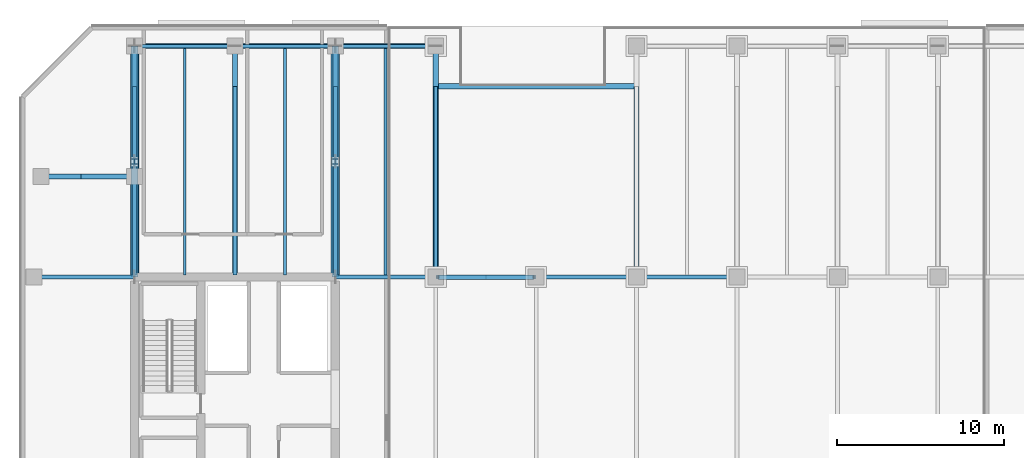
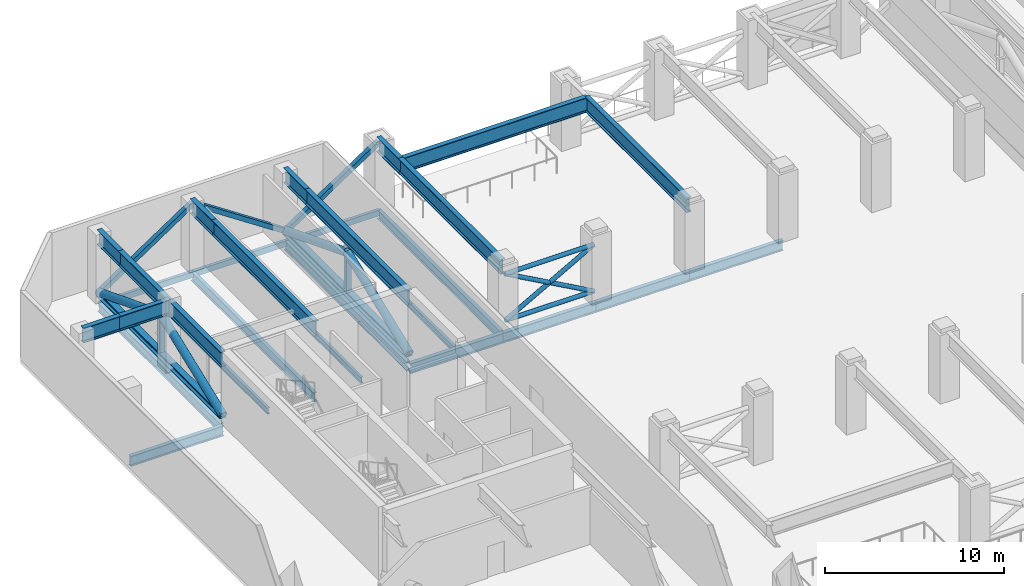
# One storey, part 5 of 21: 27 beams, 15 members.
"""IFC4 building model written with IfcOpenShell, lengths in metres."""

from ifc_helpers import new_model, si_unit, direction, frame, origin, origin_2d, place, context, subcontext, project, spatial, hollow_rectangle, hollow_circle, i_section, extrude, material, material_profile, profile_set, type_object, element, save


model = new_model("IFC4")

# Units and contexts
model_context = context("Model", 3, precision=1e-05, world=origin(), true_north=direction((0.0, 1.0)))
body_context = subcontext(model_context, "Body", "Model", "MODEL_VIEW")
ifc_project = project(units=[si_unit("LENGTHUNIT", "METRE"), si_unit("AREAUNIT", "SQUARE_METRE"), si_unit("VOLUMEUNIT", "CUBIC_METRE"), si_unit("PLANEANGLEUNIT", "RADIAN"), si_unit("MASSUNIT", "GRAM", prefix="KILO")], contexts=[model_context])

# Site, building, storey
site_placement = place(None, origin())
site = spatial("IfcSite", under=ifc_project, at=site_placement, CompositionType="ELEMENT")
building_placement = place(site_placement, origin())
building = spatial("IfcBuilding", under=site, at=building_placement, Name="Tanjung Sevakor Pilgrim Tower", CompositionType="ELEMENT")
storey_placement = place(building_placement, frame((0.0, 0.0, 123.090087890625)))
storey = spatial("IfcBuildingStorey", under=building, at=storey_placement, Name="L34", CompositionType="ELEMENT", Elevation=123.090087890625)

# Beams
ifc_material_1 = material(Name="Steel S355J2", Category="steel")
ifc_material_profile_1 = material_profile(ifc_material_1, i_section(OverallWidth=0.25439453125, OverallDepth=0.6875, WebThickness=0.01318359375, FlangeThickness=0.02099609375, FilletRadius=0.01513671875, at=origin_2d()))
ifc_profile_set_1 = profile_set([ifc_material_profile_1], Name="Steel S355J2")
beam_type_1 = type_object("IfcBeamType", Name="BM-B-G2-UB_686x254x152", PredefinedType="BEAM", material=ifc_profile_set_1)
for number, where, z_axis, x_axis, name in (
    (1, (18.0, 42.60009765625, -0.623779296875), (1.0, 0.0, 0.0), (0.0, 1.0, 0.0), "L34 Primary Floor Girder MAIN Y426-01"),
    (2, (36.0, 42.60009765625, -0.623779296875), (1.0, 0.0, 0.0), (0.0, 1.0, 0.0), "L34 Primary Floor Girder MAIN Y426-02"),
    (3, (42.0, 42.60009765625, -0.623779296875), (1.0, 0.0, 0.0), (0.0, 1.0, 0.0), "L34 Primary Floor Girder MAIN Y426-03"),
    (4, (48.0, 42.60009765625, -0.623779296875), (1.0, 0.0, 0.0), (0.0, 1.0, 0.0), "L34 Primary Floor Girder MAIN Y426-04"),
    (5, (54.0, 42.60009765625, -0.623779296875), (1.0, 0.0, 0.0), (0.0, 1.0, 0.0), "L34 Primary Floor Girder MAIN Y426-05"),
):
    element("IfcBeam", number, at=place(storey_placement, frame(where, z_axis=z_axis, x_axis=x_axis)), inside=storey, type_object=beam_type_1, Name=name, PredefinedType="BEAM", context=body_context, shape_type="SweptSolid", body=[
        extrude(i_section(OverallWidth=0.25439453125, OverallDepth=0.6875, WebThickness=0.01318359375, FlangeThickness=0.02099609375, FilletRadius=0.01513671875, at=origin_2d()), origin(), (0.0, 0.0, 1.0), 6.0),
    ])
ifc_material_2 = material(Name="Steel S355J2", Category="steel")
ifc_material_profile_2 = material_profile(ifc_material_2, i_section(OverallWidth=0.230224609375, OverallDepth=0.6171875, WebThickness=0.01318359375, FlangeThickness=0.022216796875, FilletRadius=0.0126953125, at=origin_2d()))
ifc_profile_set_2 = profile_set([ifc_material_profile_2], Name="Steel S355J2")
beam_type_2 = type_object("IfcBeamType", Name="BM-B-G3-UB_610x229x140", PredefinedType="BEAM", material=ifc_profile_set_2)
for number, where, z_axis, x_axis, name in (
    (6, (24.0, 42.727294921875, -0.588623046875), (0.0, 1.0, 0.0), (-1.0, 0.0, 0.0), "L34 MAIN Girder 002"),
    (7, (30.0, 42.727294921875, -0.588623046875), (0.0, 1.0, 0.0), (-1.0, 0.0, 0.0), "L34 MAIN Girder 006"),
    (8, (36.0, 42.727294921875, -0.588623046875), (0.0, 1.0, 0.0), (-1.0, 0.0, 0.0), "L34 MAIN Girder 010"),
):
    element("IfcBeam", number, at=place(storey_placement, frame(where, z_axis=z_axis, x_axis=x_axis)), inside=storey, type_object=beam_type_2, Name=name, PredefinedType="BEAM", context=body_context, shape_type="SweptSolid", body=[
        extrude(i_section(OverallWidth=0.230224609375, OverallDepth=0.6171875, WebThickness=0.01318359375, FlangeThickness=0.022216796875, FilletRadius=0.0126953125, at=origin_2d()), origin(), (0.0, 0.0, 1.0), 13.672607421875),
    ])
beam_1_placement = place(storey_placement, frame((42.0, 42.60009765625, -0.588623046875), z_axis=(0.0, 1.0, 0.0), x_axis=(-1.0, 0.0, 0.0)))
element("IfcBeam", 9, at=beam_1_placement, inside=storey, type_object=beam_type_2, Name="L34 MAIN Girder 015", PredefinedType="BEAM", context=body_context, shape_type="SweptSolid", body=[
    extrude(i_section(OverallWidth=0.230224609375, OverallDepth=0.6171875, WebThickness=0.01318359375, FlangeThickness=0.022216796875, FilletRadius=0.0126953125, at=origin_2d()), origin(), (0.0, 0.0, 1.0), 13.7998046875),
])
ifc_material_3 = material(Name="Steel S460M", Category="steel")
ifc_material_profile_3 = material_profile(ifc_material_3, i_section(OverallWidth=0.302001953125, OverallDepth=1.008056640625, WebThickness=0.02099609375, FlangeThickness=0.0400390625, FilletRadius=0.030029296875, at=origin_2d()))
ifc_profile_set_3 = profile_set([ifc_material_profile_3], Name="Steel S460M")
beam_type_3 = type_object("IfcBeamType", Name="BM-B-G7-HE_1000M", PredefinedType="BEAM", material=ifc_profile_set_3)
beam_2_placement = place(storey_placement, frame((18.39990234375, 48.60009765625, 4.166015625), z_axis=(1.0, 0.0, 0.0), x_axis=(0.0, 1.0, 0.0)))
element("IfcBeam", 10, at=beam_2_placement, inside=storey, type_object=beam_type_3, Name="L34 Short-End Setback Transfer Girder W Y48.6-1", PredefinedType="BEAM", context=body_context, shape_type="SweptSolid", body=[
    extrude(i_section(OverallWidth=0.302001953125, OverallDepth=1.008056640625, WebThickness=0.02099609375, FlangeThickness=0.0400390625, FilletRadius=0.030029296875, at=origin_2d()), origin(), (0.0, 0.0, 1.0), 2.400146484375),
])
beam_3_placement = place(storey_placement, frame((20.800048828125, 48.60009765625, 4.166015625), z_axis=(1.0, 0.0, 0.0), x_axis=(0.0, 1.0, 0.0)))
element("IfcBeam", 11, at=beam_3_placement, inside=storey, type_object=beam_type_3, Name="L34 Short-End Setback Transfer Girder W Y48.6-2", PredefinedType="BEAM", context=body_context, shape_type="SweptSolid", body=[
    extrude(i_section(OverallWidth=0.302001953125, OverallDepth=1.008056640625, WebThickness=0.02099609375, FlangeThickness=0.0400390625, FilletRadius=0.030029296875, at=origin_2d()), origin(), (0.0, 0.0, 1.0), 3.199951171875),
])
beam_4_placement = place(storey_placement, frame((42.0, 54.0, 4.166015625), z_axis=(1.0, 0.0, 0.0), x_axis=(0.0, 1.0, 0.0)))
element("IfcBeam", 12, at=beam_4_placement, inside=storey, type_object=beam_type_3, Name="L34 Setback Ring Transfer Girder N-01", PredefinedType="BEAM", context=body_context, shape_type="SweptSolid", body=[
    extrude(i_section(OverallWidth=0.302001953125, OverallDepth=1.008056640625, WebThickness=0.02099609375, FlangeThickness=0.0400390625, FilletRadius=0.030029296875, at=origin_2d()), origin(), (0.0, 0.0, 1.0), 12.0),
])
beam_5_placement = place(storey_placement, frame((24.0, 42.60009765625, 4.166015625), z_axis=(0.0, 1.0, 0.0), x_axis=(-1.0, 0.0, 0.0)))
element("IfcBeam", 13, at=beam_5_placement, inside=storey, type_object=beam_type_3, Name="L34 Setback Transfer Girder North X24-1", PredefinedType="BEAM", context=body_context, shape_type="SweptSolid", body=[
    extrude(i_section(OverallWidth=0.302001953125, OverallDepth=1.008056640625, WebThickness=0.02099609375, FlangeThickness=0.0400390625, FilletRadius=0.030029296875, at=origin_2d()), origin(), (0.0, 0.0, 1.0), 11.39990234375),
])
beam_6_placement = place(storey_placement, frame((24.0, 54.0, 4.166015625), z_axis=(0.0, 1.0, 0.0), x_axis=(-1.0, 0.0, 0.0)))
element("IfcBeam", 14, at=beam_6_placement, inside=storey, type_object=beam_type_3, Name="L34 Setback Transfer Girder North X24-2", PredefinedType="BEAM", context=body_context, shape_type="SweptSolid", body=[
    extrude(i_section(OverallWidth=0.302001953125, OverallDepth=1.008056640625, WebThickness=0.02099609375, FlangeThickness=0.0400390625, FilletRadius=0.030029296875, at=origin_2d()), origin(), (0.0, 0.0, 1.0), 2.39990234375),
])
beam_7_placement = place(storey_placement, frame((30.0, 42.60009765625, 4.166015625), z_axis=(0.0, 1.0, 0.0), x_axis=(-1.0, 0.0, 0.0)))
element("IfcBeam", 15, at=beam_7_placement, inside=storey, type_object=beam_type_3, Name="L34 Setback Transfer Girder North X30-1", PredefinedType="BEAM", context=body_context, shape_type="SweptSolid", body=[
    extrude(i_section(OverallWidth=0.302001953125, OverallDepth=1.008056640625, WebThickness=0.02099609375, FlangeThickness=0.0400390625, FilletRadius=0.030029296875, at=origin_2d()), origin(), (0.0, 0.0, 1.0), 11.39990234375),
])
beam_8_placement = place(storey_placement, frame((30.0, 54.0, 4.166015625), z_axis=(0.0, 1.0, 0.0), x_axis=(-1.0, 0.0, 0.0)))
element("IfcBeam", 16, at=beam_8_placement, inside=storey, type_object=beam_type_3, Name="L34 Setback Transfer Girder North X30-2", PredefinedType="BEAM", context=body_context, shape_type="SweptSolid", body=[
    extrude(i_section(OverallWidth=0.302001953125, OverallDepth=1.008056640625, WebThickness=0.02099609375, FlangeThickness=0.0400390625, FilletRadius=0.030029296875, at=origin_2d()), origin(), (0.0, 0.0, 1.0), 2.39990234375),
])
beam_9_placement = place(storey_placement, frame((36.0, 42.60009765625, 4.166015625), z_axis=(0.0, 1.0, 0.0), x_axis=(-1.0, 0.0, 0.0)))
element("IfcBeam", 17, at=beam_9_placement, inside=storey, type_object=beam_type_3, Name="L34 Setback Transfer Girder North X36-1", PredefinedType="BEAM", context=body_context, shape_type="SweptSolid", body=[
    extrude(i_section(OverallWidth=0.302001953125, OverallDepth=1.008056640625, WebThickness=0.02099609375, FlangeThickness=0.0400390625, FilletRadius=0.030029296875, at=origin_2d()), origin(), (0.0, 0.0, 1.0), 11.39990234375),
])
beam_10_placement = place(storey_placement, frame((36.0, 54.0, 4.166015625), z_axis=(0.0, 1.0, 0.0), x_axis=(-1.0, 0.0, 0.0)))
element("IfcBeam", 18, at=beam_10_placement, inside=storey, type_object=beam_type_3, Name="L34 Setback Transfer Girder North X36-2", PredefinedType="BEAM", context=body_context, shape_type="SweptSolid", body=[
    extrude(i_section(OverallWidth=0.302001953125, OverallDepth=1.008056640625, WebThickness=0.02099609375, FlangeThickness=0.0400390625, FilletRadius=0.030029296875, at=origin_2d()), origin(), (0.0, 0.0, 1.0), 2.39990234375),
])
beam_11_placement = place(storey_placement, frame((42.0, 42.60009765625, 4.166015625), z_axis=(0.0, 1.0, 0.0), x_axis=(-1.0, 0.0, 0.0)))
element("IfcBeam", 19, at=beam_11_placement, inside=storey, type_object=beam_type_3, Name="L34 Setback Transfer Girder North X42-1", PredefinedType="BEAM", context=body_context, shape_type="SweptSolid", body=[
    extrude(i_section(OverallWidth=0.302001953125, OverallDepth=1.008056640625, WebThickness=0.02099609375, FlangeThickness=0.0400390625, FilletRadius=0.030029296875, at=origin_2d()), origin(), (0.0, 0.0, 1.0), 11.39990234375),
])
beam_12_placement = place(storey_placement, frame((42.0, 54.0, 4.166015625), z_axis=(0.0, 1.0, 0.0), x_axis=(-1.0, 0.0, 0.0)))
element("IfcBeam", 20, at=beam_12_placement, inside=storey, type_object=beam_type_3, Name="L34 Setback Transfer Girder North X42-2", PredefinedType="BEAM", context=body_context, shape_type="SweptSolid", body=[
    extrude(i_section(OverallWidth=0.302001953125, OverallDepth=1.008056640625, WebThickness=0.02099609375, FlangeThickness=0.0400390625, FilletRadius=0.030029296875, at=origin_2d()), origin(), (0.0, 0.0, 1.0), 2.39990234375),
])
beam_13_placement = place(storey_placement, frame((54.0, 42.60009765625, 4.166015625), z_axis=(0.0, 1.0, 0.0), x_axis=(-1.0, 0.0, 0.0)))
element("IfcBeam", 21, at=beam_13_placement, inside=storey, type_object=beam_type_3, Name="L34 Setback Transfer Girder North X54-1", PredefinedType="BEAM", context=body_context, shape_type="SweptSolid", body=[
    extrude(i_section(OverallWidth=0.302001953125, OverallDepth=1.008056640625, WebThickness=0.02099609375, FlangeThickness=0.0400390625, FilletRadius=0.030029296875, at=origin_2d()), origin(), (0.0, 0.0, 1.0), 11.39990234375),
])
ifc_material_4 = material(Name="Steel S355J2", Category="steel")
ifc_material_profile_4 = material_profile(ifc_material_4, i_section(OverallWidth=0.1787109375, OverallDepth=0.409423828125, WebThickness=0.0087890625, FlangeThickness=0.014404296875, FilletRadius=0.01025390625, at=origin_2d()))
ifc_profile_set_4 = profile_set([ifc_material_profile_4], Name="Steel S355J2")
beam_type_4 = type_object("IfcBeamType", Name="BM-B-J3-UB_406x178x67", PredefinedType="JOIST", material=ifc_profile_set_4)
for number, where, z_axis, x_axis, name in (
    (22, (27.0, 42.727294921875, -0.48486328125), (0.0, 1.0, 0.0), (-1.0, 0.0, 0.0), "L34 MAIN Joist 004"),
    (23, (33.0, 42.727294921875, -0.48486328125), (0.0, 1.0, 0.0), (-1.0, 0.0, 0.0), "L34 MAIN Joist 008"),
    (24, (39.0, 42.727294921875, -0.48486328125), (0.0, 1.0, 0.0), (-1.0, 0.0, 0.0), "L34 MAIN Joist 012"),
):
    element("IfcBeam", number, at=place(storey_placement, frame(where, z_axis=z_axis, x_axis=x_axis)), inside=storey, type_object=beam_type_4, Name=name, PredefinedType="JOIST", context=body_context, shape_type="SweptSolid", body=[
        extrude(i_section(OverallWidth=0.1787109375, OverallDepth=0.409423828125, WebThickness=0.0087890625, FlangeThickness=0.014404296875, FilletRadius=0.01025390625, at=origin_2d()), origin(), (0.0, 0.0, 1.0), 13.57275390625),
    ])
ifc_material_5 = material(Name="Steel S355J2", Category="steel")
ifc_material_profile_5 = material_profile(ifc_material_5, hollow_rectangle(XDim=0.199951171875, YDim=0.39990234375, WallThickness=0.01611328125, at=origin_2d()))
ifc_profile_set_5 = profile_set([ifc_material_profile_5], Name="Steel S355J2")
beam_type_5 = type_object("IfcBeamType", Name="BM-B-SP2-RHS_400x200x16", PredefinedType="SPANDREL", material=ifc_profile_set_5)
for number, where, z_axis, x_axis, name in (
    (25, (24.0, 56.39990234375, -0.47998046875), (1.0, 0.0, 0.0), (0.0, 1.0, 0.0), "L34 Spandrel MAIN N-02"),
    (26, (30.0, 56.39990234375, -0.47998046875), (1.0, 0.0, 0.0), (0.0, 1.0, 0.0), "L34 Spandrel MAIN N-04"),
    (27, (36.0, 56.39990234375, -0.47998046875), (1.0, 0.0, 0.0), (0.0, 1.0, 0.0), "L34 Spandrel MAIN N-06"),
):
    element("IfcBeam", number, at=place(storey_placement, frame(where, z_axis=z_axis, x_axis=x_axis)), inside=storey, type_object=beam_type_5, Name=name, PredefinedType="SPANDREL", context=body_context, shape_type="SweptSolid", body=[
        extrude(hollow_rectangle(XDim=0.199951171875, YDim=0.39990234375, WallThickness=0.01611328125, at=origin_2d()), origin(), (0.0, 0.0, 1.0), 6.0),
    ])

# Members
ifc_material_6 = material(Name="Steel S460M", Category="steel")
ifc_material_profile_6 = material_profile(ifc_material_6, hollow_circle(Radius=0.25390625, WallThickness=0.02490234375, at=origin_2d()))
ifc_profile_set_6 = profile_set([ifc_material_profile_6], Name="Steel S460M")
member_type_1 = type_object("IfcMemberType", Name="MEM-M-BR3-CHS_508x25", PredefinedType="BRACE", material=ifc_profile_set_6)
for number, where, z_axis, x_axis, name in (
    (28, (24.0, 42.60009765625, 0.349853515625), (0.0, 0.93170119451, 0.363225665597), (-1.0, 0.0, 0.0), "OT-2 L34 Outrigger Truss Diagonal 1 X24 N"),
    (29, (24.0, 49.5, 3.039794921875), (0.0, 0.93170119451, -0.363225665597), (-1.0, 0.0, 0.0), "OT-2 L34 Outrigger Truss Diagonal 2 X24 N"),
    (30, (36.0, 42.60009765625, 0.349853515625), (0.0, 0.93170119451, 0.363225665597), (-1.0, 0.0, 0.0), "OT-2 L34 Outrigger Truss Diagonal 1 X36 N"),
    (31, (36.0, 49.5, 3.039794921875), (0.0, 0.93170119451, -0.363225665597), (-1.0, 0.0, 0.0), "OT-2 L34 Outrigger Truss Diagonal 2 X36 N"),
):
    element("IfcMember", number, at=place(storey_placement, frame(where, z_axis=z_axis, x_axis=x_axis)), inside=storey, type_object=member_type_1, Name=name, PredefinedType="BRACE", context=body_context, shape_type="SweptSolid", body=[
        extrude(hollow_circle(Radius=0.25390625, WallThickness=0.02490234375, at=origin_2d()), origin(), (0.0, 0.0, 1.0), 7.40576171875),
    ])
ifc_material_7 = material(Name="Steel S460M", Category="steel")
ifc_material_profile_7 = material_profile(ifc_material_7, hollow_rectangle(XDim=0.300048828125, YDim=0.300048828125, WallThickness=0.01611328125, at=origin_2d()))
ifc_profile_set_7 = profile_set([ifc_material_profile_7], Name="Steel S460M")
member_type_2 = type_object("IfcMemberType", Name="MEM-M-BR8-SHS_300x300x16", PredefinedType="BRACE", material=ifc_profile_set_7)
for number, where, z_axis, x_axis, name in (
    (32, (24.0, 56.39990234375, 0.349853515625), (0.832940851568, 0.0, 0.553362031395), (0.0, 1.0, 0.0), "BT-1 L34 Belt Truss Diagonal Brace N-01"),
    (33, (30.0, 56.39990234375, 4.3359375), (0.832940851568, 0.0, -0.553362031395), (0.0, 1.0, 0.0), "BT-1 L34 Belt Truss Diagonal Brace N-02"),
    (34, (36.0, 56.39990234375, 0.349853515625), (0.832940851568, 0.0, 0.553362031395), (0.0, 1.0, 0.0), "BT-1 L34 Belt Truss Diagonal Brace N-03"),
):
    element("IfcMember", number, at=place(storey_placement, frame(where, z_axis=z_axis, x_axis=x_axis)), inside=storey, type_object=member_type_2, Name=name, PredefinedType="BRACE", context=body_context, shape_type="SweptSolid", body=[
        extrude(hollow_rectangle(XDim=0.300048828125, YDim=0.300048828125, WallThickness=0.01611328125, at=origin_2d()), origin(), (0.0, 0.0, 1.0), 7.203369140625),
    ])
ifc_material_8 = material(Name="Steel S460M", Category="steel")
ifc_material_profile_8 = material_profile(ifc_material_8, i_section(OverallWidth=0.39892578125, OverallDepth=0.3935546875, WebThickness=0.022705078125, FlangeThickness=0.03662109375, FilletRadius=0.01513671875, at=origin_2d()))
ifc_profile_set_8 = profile_set([ifc_material_profile_8], Name="Steel S460M")
member_type_3 = type_object("IfcMemberType", Name="MEM-M-CH3-UC_356x406x287", PredefinedType="CHORD", material=ifc_profile_set_8)
for number, where, z_axis, x_axis, name in (
    (35, (24.0, 42.60009765625, 0.349853515625), (0.0, 1.0, 0.0), (-1.0, 0.0, 0.0), "OT-1 L34 Outrigger Truss Chord X24 N"),
    (36, (36.0, 42.60009765625, 0.349853515625), (0.0, 1.0, 0.0), (-1.0, 0.0, 0.0), "OT-1 L34 Outrigger Truss Chord X36 N"),
):
    element("IfcMember", number, at=place(storey_placement, frame(where, z_axis=z_axis, x_axis=x_axis)), inside=storey, type_object=member_type_3, Name=name, PredefinedType="CHORD", context=body_context, shape_type="SweptSolid", body=[
        extrude(i_section(OverallWidth=0.39892578125, OverallDepth=0.3935546875, WebThickness=0.022705078125, FlangeThickness=0.03662109375, FilletRadius=0.01513671875, at=origin_2d()), origin(), (0.0, 0.0, 1.0), 13.7998046875),
    ])
ifc_material_9 = material(Name="Steel S460M", Category="steel")
ifc_material_profile_9 = material_profile(ifc_material_9, i_section(OverallWidth=0.30908203125, OverallDepth=0.320556640625, WebThickness=0.013916015625, FlangeThickness=0.021728515625, FilletRadius=0.01513671875, at=origin_2d()))
ifc_profile_set_9 = profile_set([ifc_material_profile_9], Name="Steel S460M")
member_type_4 = type_object("IfcMemberType", Name="MEM-M-ST3-UC_305x305x137", PredefinedType="STRUT", material=ifc_profile_set_9)
for number, where, z_axis, x_axis, name in (
    (37, (24.0, 49.5, 0.349853515625), (0.0, 0.0, 1.0), (1.0, 0.0, 0.0), "OT-3 L34 Outrigger Truss Strut X24 N"),
    (38, (36.0, 49.5, 0.349853515625), (0.0, 0.0, 1.0), (1.0, 0.0, 0.0), "OT-3 L34 Outrigger Truss Strut X36 N"),
):
    element("IfcMember", number, at=place(storey_placement, frame(where, z_axis=z_axis, x_axis=x_axis)), inside=storey, type_object=member_type_4, Name=name, PredefinedType="STRUT", context=body_context, shape_type="SweptSolid", body=[
        extrude(i_section(OverallWidth=0.30908203125, OverallDepth=0.320556640625, WebThickness=0.013916015625, FlangeThickness=0.021728515625, FilletRadius=0.01513671875, at=origin_2d()), origin(), (0.0, 0.0, 1.0), 2.68994140625),
    ])
ifc_material_10 = material(Name="Steel S355J2", Category="steel")
ifc_material_profile_10 = material_profile(ifc_material_10, hollow_circle(Radius=0.136474609375, WallThickness=0.012451171875, at=origin_2d()))
ifc_profile_set_10 = profile_set([ifc_material_profile_10], Name="Steel S355J2")
member_type_5 = type_object("IfcMemberType", Name="TYPE-MB-TURBINE", PredefinedType="USERDEFINED", material=ifc_profile_set_10)
for number, where, z_axis, x_axis, name in (
    (39, (42.14990234375, 42.60009765625, 0.449951171875), (1.0, 0.0, 0.0), (0.0, 1.0, 0.0), "L34 Wind Turbine Shroud BOT WTURB-L34-N1"),
    (40, (42.14990234375, 42.60009765625, 3.619873046875), (1.0, 0.0, 0.0), (0.0, 1.0, 0.0), "L34 Wind Turbine Shroud TOP WTURB-L34-N1"),
):
    element("IfcMember", number, at=place(storey_placement, frame(where, z_axis=z_axis, x_axis=x_axis)), inside=storey, type_object=member_type_5, Name=name, ObjectType="TURBINE_FRAME", PredefinedType="USERDEFINED", context=body_context, shape_type="SweptSolid", body=[
        extrude(hollow_circle(Radius=0.136474609375, WallThickness=0.012451171875, at=origin_2d()), origin(), (0.0, 0.0, 1.0), 5.7001953125),
    ])
for number, where, z_axis, x_axis, name in (
    (41, (42.14990234375, 42.60009765625, 0.449951171875), (0.87395238411, 0.0, 0.486011553678), (0.0, 1.0, 0.0), "L34 Wind Turbine Shroud BL1 WTURB-L34-N1"),
    (42, (42.14990234375, 42.60009765625, 3.619873046875), (0.87395238411, 0.0, -0.486011553678), (0.0, 1.0, 0.0), "L34 Wind Turbine Shroud BL2 WTURB-L34-N1"),
):
    element("IfcMember", number, at=place(storey_placement, frame(where, z_axis=z_axis, x_axis=x_axis)), inside=storey, type_object=member_type_5, Name=name, ObjectType="TURBINE_FRAME", PredefinedType="USERDEFINED", context=body_context, shape_type="SweptSolid", body=[
        extrude(hollow_circle(Radius=0.136474609375, WallThickness=0.012451171875, at=origin_2d()), origin(), (0.0, 0.0, 1.0), 6.522216796875),
    ])

save(model, "model.ifc")
